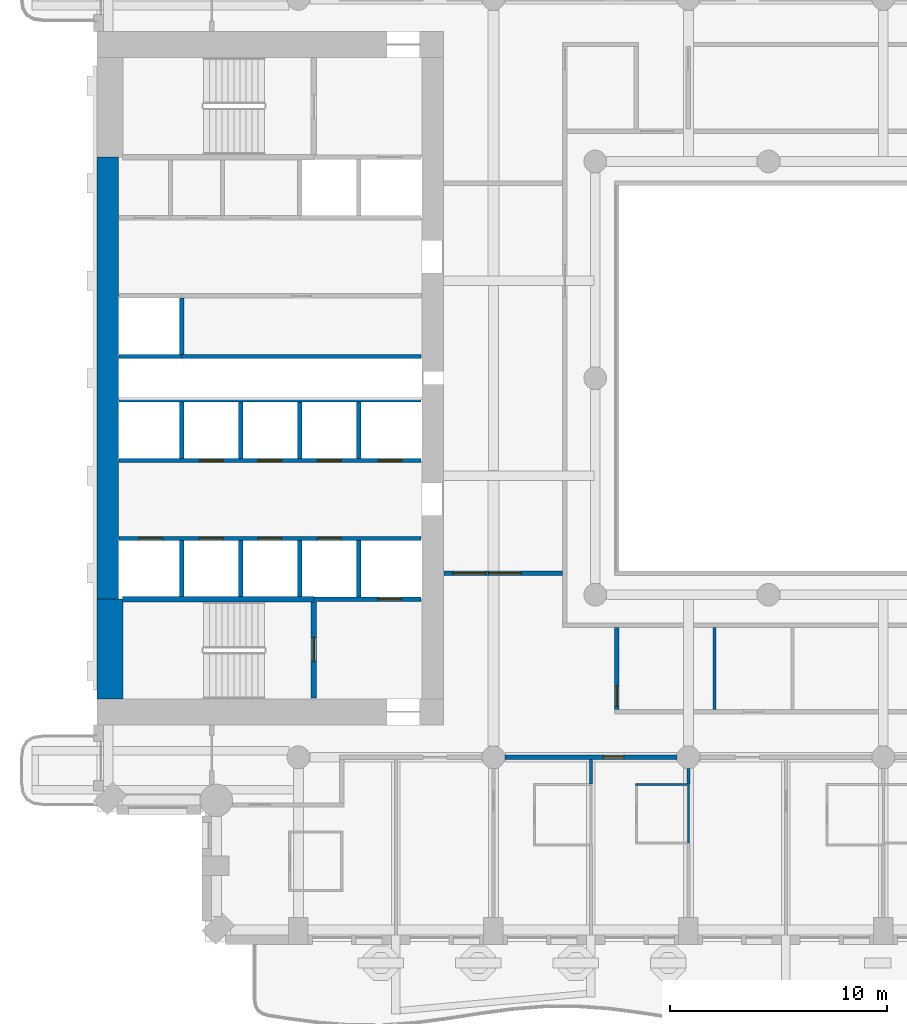
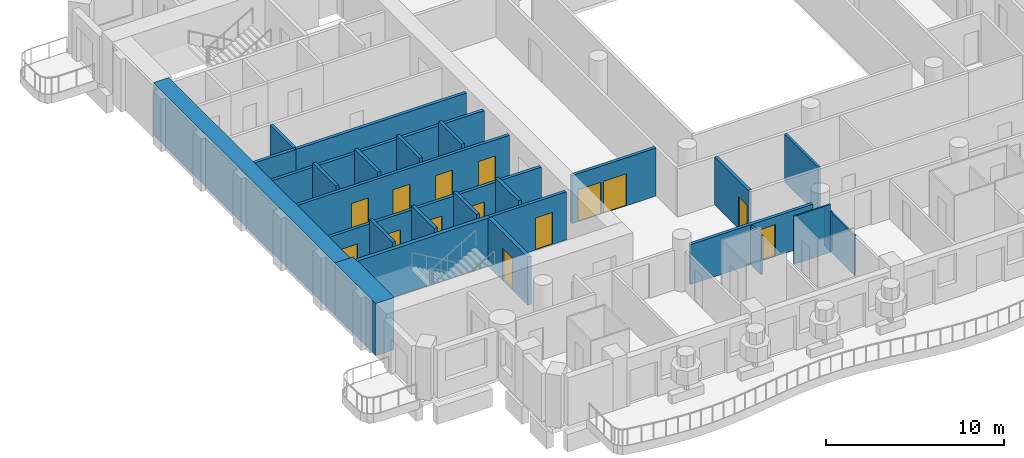
# One storey, part 4 of 20: 27 walls, 14 doors, 14 openings.
"""IFC4 building model written with IfcOpenShell, lengths in metres."""

import ifcopenshell
import ifcopenshell.guid

model = None  # the IFC model being written
_history = None  # IfcOwnerHistory: only IFC2X3 demands one
_inside = {}  # id of a spatial element -> (the spatial element, [elements in it])
_under = {}  # id of a project, library or spatial element -> (it, [spatial elements below it])
_declared = {}  # id of a project -> (the project, [libraries it declares])
_typed = {}  # id of a type object -> (the type object, [elements of that type])
_made_of = {}  # id of a material, layer set ... -> (it, [elements and type objects made of it])


def new_model(schema):
    """Start an empty IFC model of exactly this schema.

    Asked for "IFC4X3", IfcOpenShell would pick the latest addendum, in which some entities
    have other attributes; the version numbers below select the first issue.
    IFC2X3 requires an IfcOwnerHistory on every rooted entity: one is made here for all.
    """
    global model, _history
    if schema == "IFC4X3":
        model = ifcopenshell.file(schema_version=(4, 3, 0, 0))
    else:
        model = ifcopenshell.file(schema=schema)
    _inside.clear()
    _under.clear()
    _declared.clear()
    _typed.clear()
    _made_of.clear()
    _history = None
    if model.schema == "IFC2X3":
        org = make("IfcOrganization", Name="unknown")
        user = make(
            "IfcPersonAndOrganization",
            ThePerson=make("IfcPerson", FamilyName="unknown"),
            TheOrganization=org,
        )
        app = make(
            "IfcApplication",
            ApplicationDeveloper=org,
            Version="unknown",
            ApplicationFullName="unknown",
            ApplicationIdentifier="unknown",
        )
        _history = make(
            "IfcOwnerHistory",
            OwningUser=user,
            OwningApplication=app,
            ChangeAction="ADDED",
            CreationDate=0,
        )
    return model


def make(cls, **values):
    """One entity of the class cls with the attributes given. An attribute that is None is left unset."""
    return model.create_entity(
        cls, **{name: value for name, value in values.items() if value is not None}
    )


def rooted(cls, **values):
    """An entity with a GlobalId (a new one), such as an element, a storey or a relation."""
    return make(cls, GlobalId=ifcopenshell.guid.new(), OwnerHistory=_history, **values)


def si_unit(unit_type, name, prefix=None):
    """IfcSIUnit, for example si_unit("LENGTHUNIT", "METRE", prefix="MILLI")."""
    return make("IfcSIUnit", UnitType=unit_type, Prefix=prefix, Name=name)


def assignment(units):
    """IfcUnitAssignment: the units of a project."""
    return None if units is None else make("IfcUnitAssignment", Units=units)


def point(xyz):
    """IfcCartesianPoint."""
    return None if xyz is None else make("IfcCartesianPoint", Coordinates=xyz)


def direction(xyz):
    """IfcDirection."""
    return None if xyz is None else make("IfcDirection", DirectionRatios=xyz)


def frame(location, z_axis=None, x_axis=None):
    """IfcAxis2Placement3D, a coordinate frame: its origin and axes. An axis left out is left unset."""
    return make(
        "IfcAxis2Placement3D",
        Location=point(location),
        Axis=direction(z_axis),
        RefDirection=direction(x_axis),
    )


def frame_2d(location, x_axis=None):
    """IfcAxis2Placement2D, a coordinate frame in the plane: its origin and x axis."""
    return make(
        "IfcAxis2Placement2D", Location=point(location), RefDirection=direction(x_axis)
    )


def origin():
    """The frame at (0, 0, 0) with its axes left unset."""
    return frame((0.0, 0.0, 0.0))


def place(relative_to, where):
    """IfcLocalPlacement: puts the frame where relative to a parent placement (None: the world)."""
    return make(
        "IfcLocalPlacement", PlacementRelTo=relative_to, RelativePlacement=where
    )


def context(
    kind, dimensions, precision=None, world=None, true_north=None, identifier=None
):
    """IfcGeometricRepresentationContext, for example the 3D "Model" context."""
    return make(
        "IfcGeometricRepresentationContext",
        ContextIdentifier=identifier,
        ContextType=kind,
        CoordinateSpaceDimension=dimensions,
        Precision=precision,
        WorldCoordinateSystem=world,
        TrueNorth=true_north,
    )


def subcontext(parent, identifier, kind, view, scale=None):
    """IfcGeometricRepresentationSubContext, for example "Body" below "Model"."""
    return make(
        "IfcGeometricRepresentationSubContext",
        ContextIdentifier=identifier,
        ContextType=kind,
        ParentContext=parent,
        TargetScale=scale,
        TargetView=view,
    )


def project(units=None, contexts=None):
    """IfcProject with its units and contexts."""
    return rooted(
        "IfcProject",
        Name="project",
        RepresentationContexts=contexts,
        UnitsInContext=assignment(units),
    )


def spatial(cls, under=None, at=None, **own):
    """A site, building, storey or space (cls), placed at a placement, below another one or the project."""
    s = rooted(cls, ObjectPlacement=at, **own)
    if under is not None:
        _under.setdefault(under.id(), (under, []))[1].append(s)
    return s


def profile(cls, at=None, kind="AREA", **sizes):
    """A parametric profile (cls). Its sizes go by their IFC names, for example OverallWidth=200.0."""
    return make(cls, ProfileType=kind, Position=at, **sizes)


def rectangle(**sizes):
    """IfcRectangleProfileDef."""
    return profile("IfcRectangleProfileDef", **sizes)


def extrude(swept, where, along, depth):
    """IfcExtrudedAreaSolid: the profile swept, set in the frame where, extruded along a direction by depth."""
    return make(
        "IfcExtrudedAreaSolid",
        SweptArea=swept,
        Position=where,
        ExtrudedDirection=direction(along),
        Depth=depth,
    )


def shape(context_of_items, identifier, shape_type, items):
    """IfcShapeRepresentation: the items that make up one representation, for example the "Body"."""
    return make(
        "IfcShapeRepresentation",
        ContextOfItems=context_of_items,
        RepresentationIdentifier=identifier,
        RepresentationType=shape_type,
        Items=items,
    )


def material(Name=None, Category=None):
    """IfcMaterial."""
    return make("IfcMaterial", Name=Name, Category=Category)


def layer(
    of_material, thickness, ventilated=None, Name=None, Category=None, Priority=None
):
    """IfcMaterialLayer: one layer of a wall or slab, of a material (None: an air gap)."""
    return make(
        "IfcMaterialLayer",
        Material=of_material,
        LayerThickness=thickness,
        IsVentilated=ventilated,
        Name=Name,
        Category=Category,
        Priority=Priority,
    )


def layer_set(layers, Name=None):
    """IfcMaterialLayerSet."""
    return make("IfcMaterialLayerSet", MaterialLayers=layers, LayerSetName=Name)


def made_of(thing, what):
    """Note that an element or type object is made of a material, layer set ...; save() writes the relation."""
    if what is not None:
        _made_of.setdefault(what.id(), (what, []))[1].append(thing)
    return thing


def type_object(cls, material=None, **own):
    """A type object (cls), such as IfcWallType, which elements share."""
    return made_of(rooted(cls, **own), material)


def element(
    cls,
    number,
    at=None,
    inside=None,
    cuts=None,
    type_object=None,
    material=None,
    context=None,
    identifier="Body",
    shape_type=None,
    held_by="IfcProductDefinitionShape",
    body=None,
    shapes=None,
    **own,
):
    """One element of the class cls, such as IfcWall. Its Tag is "e" and its number.

    at: its placement. inside: the storey or other place that contains it. cuts: it is an
    opening in that element (IfcRelVoidsElement). A single representation is given by context,
    identifier, shape_type and body (its items); several are given by shapes. held_by: the class
    of the entity that holds the representations. save() writes the other relations.
    """
    e = rooted(cls, Tag="e%d" % number, ObjectPlacement=at, **own)
    if body is not None:
        shapes = [shape(context, identifier, shape_type, body)]
    if shapes is not None:
        e.Representation = make(held_by, Representations=shapes)
    if inside is not None:
        _inside.setdefault(inside.id(), (inside, []))[1].append(e)
    if cuts is not None:
        rooted(
            "IfcRelVoidsElement", RelatingBuildingElement=cuts, RelatedOpeningElement=e
        )
    if type_object is not None:
        _typed.setdefault(type_object.id(), (type_object, []))[1].append(e)
    return made_of(e, material)


def fill(opening, filler):
    """IfcRelFillsElement: the door or window that sits in an opening."""
    return rooted(
        "IfcRelFillsElement",
        RelatingOpeningElement=opening,
        RelatedBuildingElement=filler,
    )


def aggregate(whole, parts):
    """IfcRelAggregates: a whole, such as a stair, and the parts it consists of."""
    return rooted("IfcRelAggregates", RelatingObject=whole, RelatedObjects=parts)


def save(model, path):
    """Write the relations noted so far, then the file.

    IfcRelAggregates (storeys below a building ...), IfcRelContainedInSpatialStructure (elements
    in a storey), IfcRelDefinesByType, IfcRelAssociatesMaterial and IfcRelDeclares: one each for
    every whole, place, type object, material and project.
    """
    for whole, parts in _under.values():
        aggregate(whole, parts)
    for where, things in _inside.values():
        rooted(
            "IfcRelContainedInSpatialStructure",
            RelatedElements=things,
            RelatingStructure=where,
        )
    for kind, things in _typed.values():
        rooted("IfcRelDefinesByType", RelatedObjects=things, RelatingType=kind)
    for what, things in _made_of.values():
        rooted("IfcRelAssociatesMaterial", RelatedObjects=things, RelatingMaterial=what)
    for by, libraries in _declared.values():
        rooted("IfcRelDeclares", RelatingContext=by, RelatedDefinitions=libraries)
    model.write(path)


model = new_model("IFC4")

# Units and contexts
model_context = context("Model", 3, precision=1e-05, world=origin(), true_north=direction((0.0, 1.0)))
body_context = subcontext(model_context, "Body", "Model", "MODEL_VIEW")
ifc_project = project(units=[si_unit("LENGTHUNIT", "METRE"), si_unit("AREAUNIT", "SQUARE_METRE"), si_unit("VOLUMEUNIT", "CUBIC_METRE"), si_unit("PLANEANGLEUNIT", "RADIAN"), si_unit("MASSUNIT", "GRAM", prefix="KILO")], contexts=[model_context])

# Site, building, storey
site_placement = place(None, origin())
site = spatial("IfcSite", under=ifc_project, at=site_placement, CompositionType="ELEMENT")
building_placement = place(site_placement, origin())
building = spatial("IfcBuilding", under=site, at=building_placement, Name="Cypress Arch Tower", CompositionType="ELEMENT")
storey_placement = place(building_placement, frame((0.0, 0.0, 113.10009765625)))
storey = spatial("IfcBuildingStorey", under=building, at=storey_placement, Name="L23", CompositionType="ELEMENT", Elevation=113.10009765625)

# Walls
ifc_material_1 = material(Name="Concrete C80/95", Category="concrete")
ifc_layer_1 = layer(ifc_material_1, 1.0)
ifc_layer_set_1 = layer_set([ifc_layer_1], Name="Core wall CW1000 C80/95")
wall_type_1 = type_object("IfcWallType", Name="Core wall CW1000 C80/95", PredefinedType="SHEAR", material=ifc_layer_set_1)
wall_1_placement = place(storey_placement, frame((-29.5, -10.199951171875, 0.0), z_axis=(0.0, 0.0, 1.0), x_axis=(0.0, 1.0, 0.0)))
element("IfcWall", 1, at=wall_1_placement, inside=storey, type_object=wall_type_1, Name="Core wall", PredefinedType="SHEAR", context=body_context, shape_type="SweptSolid", body=[
    extrude(rectangle(XDim=20.39990234375, YDim=1.0, at=frame_2d((10.199951171875, 0.0))), origin(), (0.0, 0.0, 1.0), 3.599853515625),
])
ifc_material_2 = material(Name="Concrete C80/95", Category="concrete")
ifc_layer_2 = layer(ifc_material_2, 1.199951171875)
ifc_layer_set_2 = layer_set([ifc_layer_2], Name="Core wall CW1200 C80/95")
wall_type_2 = type_object("IfcWallType", Name="Core wall CW1200 C80/95", PredefinedType="SHEAR", material=ifc_layer_set_2)
wall_2_placement = place(storey_placement, frame((-29.39990234375, -14.800048828125, 0.0), z_axis=(0.0, 0.0, 1.0), x_axis=(0.0, 1.0, 0.0)))
element("IfcWall", 2, at=wall_2_placement, inside=storey, type_object=wall_type_2, Name="Core wall", PredefinedType="SHEAR", context=body_context, shape_type="SweptSolid", body=[
    extrude(rectangle(XDim=4.60009765625, YDim=1.199951171875, at=frame_2d((2.300048828125, 0.0))), origin(), (0.0, 0.0, 1.0), 3.599853515625),
])

# Wall, opening, door
ifc_material_3 = material(Name="Concrete blockwork, plastered, rated", Category="masonry")
ifc_layer_3 = layer(ifc_material_3, 0.199951171875)
ifc_layer_set_3 = layer_set([ifc_layer_3], Name="Corridor wall FW200")
wall_type_3 = type_object("IfcWallType", Name="Corridor wall FW200", PredefinedType="PARTITIONING", material=ifc_layer_set_3)
wall_3_placement = place(storey_placement, frame((-11.175048828125, -17.5, 0.0), z_axis=(0.0, 0.0, 1.0), x_axis=(1.0, 0.0, 0.0)))
wall_3 = element("IfcWall", 3, at=wall_3_placement, inside=storey, type_object=wall_type_3, Name="Corridor wall", PredefinedType="PARTITIONING", context=body_context, shape_type="SweptSolid", body=[
    extrude(rectangle(XDim=7.949951171875, YDim=0.199951171875, at=frame_2d((3.97509765625, 0.0))), origin(), (0.0, 0.0, 1.0), 2.75),
])
opening_1_placement = place(wall_3_placement, frame((4.550048828125, 0.0, 0.0)))
opening_1 = element("IfcOpeningElement", 4, at=opening_1_placement, cuts=wall_3, Name="Opening D02", PredefinedType="OPENING", context=body_context, shape_type="SweptSolid", body=[
    extrude(rectangle(XDim=0.949951171875, YDim=2.199951171875, at=frame_2d((0.47509765625, 1.10009765625))), frame((0.0, 0.10986328125, 0.0), z_axis=(0.0, -1.0, 0.0), x_axis=(1.0, 0.0, 0.0)), (0.0, 0.0, 1.0), 0.219970703125),
])
ifc_material_4 = material(Name="Timber flush door, fire resisting", Category="wood")
door_type_1 = type_object("IfcDoorType", Name="Room door D02 950x2200", OperationType="SINGLE_SWING_LEFT", PredefinedType="DOOR", material=ifc_material_4)
door_1_placement = place(opening_1_placement, origin())
door_1 = element("IfcDoor", 5, at=door_1_placement, inside=storey, type_object=door_type_1, Name="Room door", OperationType="SINGLE_SWING_RIGHT", OverallHeight=2.199951171875, OverallWidth=0.949951171875, PredefinedType="DOOR", context=body_context, shape_type="SweptSolid", body=[
    extrude(rectangle(XDim=0.949951171875, YDim=2.199951171875, at=frame_2d((0.47509765625, 1.10009765625))), frame((0.0, 0.02490234375, 0.0), z_axis=(0.0, -1.0, 0.0), x_axis=(1.0, 0.0, 0.0)), (0.0, 0.0, 1.0), 0.050048828125),
])
fill(opening_1, door_1)

# Wall, openings, doors
wall_4_placement = place(storey_placement, frame((-13.969970703125, -9.0, 0.0), z_axis=(0.0, 0.0, 1.0), x_axis=(1.0, 0.0, 0.0)))
wall_4 = element("IfcWall", 6, at=wall_4_placement, inside=storey, type_object=wall_type_3, Name="Corridor wall", PredefinedType="PARTITIONING", context=body_context, shape_type="SweptSolid", body=[
    extrude(rectangle(XDim=5.469970703125, YDim=0.199951171875, at=frame_2d((2.73486328125, 0.0))), origin(), (0.0, 0.0, 1.0), 3.2998046875),
])
opening_2_placement = place(wall_4_placement, frame((0.39990234375, 0.0, 0.0)))
opening_2 = element("IfcOpeningElement", 7, at=opening_2_placement, cuts=wall_4, Name="Opening D04", PredefinedType="OPENING", context=body_context, shape_type="SweptSolid", body=[
    extrude(rectangle(XDim=1.5, YDim=2.199951171875, at=frame_2d((0.75, 1.10009765625))), frame((0.0, 0.10986328125, 0.0), z_axis=(0.0, -1.0, 0.0), x_axis=(1.0, 0.0, 0.0)), (0.0, 0.0, 1.0), 0.219970703125),
])
opening_3_placement = place(wall_4_placement, frame((2.050048828125, 0.0, 0.0)))
opening_3 = element("IfcOpeningElement", 8, at=opening_3_placement, cuts=wall_4, Name="Opening D04", PredefinedType="OPENING", context=body_context, shape_type="SweptSolid", body=[
    extrude(rectangle(XDim=1.5, YDim=2.199951171875, at=frame_2d((0.75, 1.10009765625))), frame((0.0, 0.10986328125, 0.0), z_axis=(0.0, -1.0, 0.0), x_axis=(1.0, 0.0, 0.0)), (0.0, 0.0, 1.0), 0.219970703125),
])
ifc_material_5 = material(Name="Timber double door", Category="wood")
door_type_2 = type_object("IfcDoorType", Name="Double door D04 1500x2200", OperationType="DOUBLE_DOOR_SINGLE_SWING", PredefinedType="DOOR", material=ifc_material_5)
door_2_placement = place(opening_2_placement, origin())
door_2 = element("IfcDoor", 9, at=door_2_placement, inside=storey, type_object=door_type_2, Name="Double door", OperationType="DOUBLE_DOOR_SINGLE_SWING", OverallHeight=2.199951171875, OverallWidth=1.5, PredefinedType="DOOR", context=body_context, shape_type="SweptSolid", body=[
    extrude(rectangle(XDim=1.5, YDim=2.199951171875, at=frame_2d((0.75, 1.10009765625))), frame((0.0, 0.02490234375, 0.0), z_axis=(0.0, -1.0, 0.0), x_axis=(1.0, 0.0, 0.0)), (0.0, 0.0, 1.0), 0.050048828125),
])
fill(opening_2, door_2)
door_3_placement = place(opening_3_placement, origin())
door_3 = element("IfcDoor", 10, at=door_3_placement, inside=storey, type_object=door_type_2, Name="Double door", OperationType="DOUBLE_DOOR_SINGLE_SWING", OverallHeight=2.199951171875, OverallWidth=1.5, PredefinedType="DOOR", context=body_context, shape_type="SweptSolid", body=[
    extrude(rectangle(XDim=1.5, YDim=2.199951171875, at=frame_2d((0.75, 1.10009765625))), frame((0.0, 0.02490234375, 0.0), z_axis=(0.0, -1.0, 0.0), x_axis=(1.0, 0.0, 0.0)), (0.0, 0.0, 1.0), 0.050048828125),
])
fill(opening_3, door_3)

# Wall, opening, door
wall_5_placement = place(storey_placement, frame((-6.0, -15.300048828125, 0.0), z_axis=(0.0, 0.0, 1.0), x_axis=(0.0, 1.0, 0.0)))
wall_5 = element("IfcWall", 11, at=wall_5_placement, inside=storey, type_object=wall_type_3, Name="Corridor wall", PredefinedType="PARTITIONING", context=body_context, shape_type="SweptSolid", body=[
    extrude(rectangle(XDim=3.800048828125, YDim=0.199951171875, at=frame_2d((1.89990234375, 0.0))), origin(), (0.0, 0.0, 1.0), 3.2998046875),
])
opening_4_placement = place(wall_5_placement, frame((0.14990234375, 0.0, 0.0)))
opening_4 = element("IfcOpeningElement", 12, at=opening_4_placement, cuts=wall_5, Name="Opening D02", PredefinedType="OPENING", context=body_context, shape_type="SweptSolid", body=[
    extrude(rectangle(XDim=0.949951171875, YDim=2.199951171875, at=frame_2d((0.47509765625, 1.10009765625))), frame((0.0, 0.10986328125, 0.0), z_axis=(0.0, -1.0, 0.0), x_axis=(1.0, 0.0, 0.0)), (0.0, 0.0, 1.0), 0.219970703125),
])
door_4_placement = place(opening_4_placement, origin())
door_4 = element("IfcDoor", 13, at=door_4_placement, inside=storey, type_object=door_type_1, Name="Room door", OperationType="SINGLE_SWING_RIGHT", OverallHeight=2.199951171875, OverallWidth=0.949951171875, PredefinedType="DOOR", context=body_context, shape_type="SweptSolid", body=[
    extrude(rectangle(XDim=0.949951171875, YDim=2.199951171875, at=frame_2d((0.47509765625, 1.10009765625))), frame((0.0, 0.02490234375, 0.0), z_axis=(0.0, -1.0, 0.0), x_axis=(1.0, 0.0, 0.0)), (0.0, 0.0, 1.0), 0.050048828125),
])
fill(opening_4, door_4)

# Walls
ifc_material_6 = material(Name="Blockwork, plastered both sides", Category="masonry")
ifc_layer_4 = layer(ifc_material_6, 0.14990234375)
ifc_layer_set_4 = layer_set([ifc_layer_4], Name="Partition PW150")
wall_type_4 = type_object("IfcWallType", Name="Partition PW150", PredefinedType="PARTITIONING", material=ifc_layer_set_4)
wall_6_placement = place(storey_placement, frame((-7.199951171875, -18.72998046875, 0.0), z_axis=(0.0, 0.0, 1.0), x_axis=(0.0, 1.0, 0.0)))
element("IfcWall", 14, at=wall_6_placement, inside=storey, type_object=wall_type_4, Name="Partition", PredefinedType="PARTITIONING", context=body_context, shape_type="SweptSolid", body=[
    extrude(rectangle(XDim=1.1298828125, YDim=0.14990234375, at=frame_2d((0.56494140625, 0.0))), origin(), (0.0, 0.0, 1.0), 2.64990234375),
])
wall_7_placement = place(storey_placement, frame((-2.699951171875, -18.72998046875, 0.0), z_axis=(0.0, 0.0, 1.0), x_axis=(0.0, 1.0, 0.0)))
element("IfcWall", 15, at=wall_7_placement, inside=storey, type_object=wall_type_4, Name="Partition", PredefinedType="PARTITIONING", context=body_context, shape_type="SweptSolid", body=[
    extrude(rectangle(XDim=0.705078125, YDim=0.14990234375, at=frame_2d((0.3525390625, 0.0))), origin(), (0.0, 0.0, 1.0), 2.75),
])
wall_8_placement = place(storey_placement, frame((-1.5, -15.300048828125, 0.0), z_axis=(0.0, 0.0, 1.0), x_axis=(0.0, 1.0, 0.0)))
element("IfcWall", 16, at=wall_8_placement, inside=storey, type_object=wall_type_4, Name="Partition", PredefinedType="PARTITIONING", context=body_context, shape_type="SweptSolid", body=[
    extrude(rectangle(XDim=3.800048828125, YDim=0.14990234375, at=frame_2d((1.89990234375, 0.0))), origin(), (0.0, 0.0, 1.0), 3.2998046875),
])
ifc_material_7 = material(Name="Reinforced blockwork, plastered, rated", Category="masonry")
ifc_layer_5 = layer(ifc_material_7, 0.199951171875)
ifc_layer_set_5 = layer_set([ifc_layer_5], Name="Plant and riser wall PL200")
wall_type_5 = type_object("IfcWallType", Name="Plant and riser wall PL200", PredefinedType="PARTITIONING", material=ifc_layer_set_5)
wall_9_placement = place(storey_placement, frame((-26.10009765625, 1.0, 0.0), z_axis=(0.0, 0.0, 1.0), x_axis=(1.0, 0.0, 0.0)))
element("IfcWall", 17, at=wall_9_placement, inside=storey, type_object=wall_type_5, Name="Plant and riser wall", PredefinedType="PARTITIONING", context=body_context, shape_type="SweptSolid", body=[
    extrude(rectangle(XDim=11.070068359375, YDim=0.199951171875, at=frame_2d((5.53515625, 0.0))), origin(), (0.0, 0.0, 1.0), 3.2998046875),
])

# Wall, openings, doors
ifc_material_8 = material(Name="Concrete C50/60", Category="concrete")
ifc_layer_6 = layer(ifc_material_8, 0.199951171875)
ifc_layer_set_6 = layer_set([ifc_layer_6], Name="Shaft wall SH200")
wall_type_6 = type_object("IfcWallType", Name="Shaft wall SH200", PredefinedType="SHEAR", material=ifc_layer_set_6)
wall_10_placement = place(storey_placement, frame((-28.969970703125, -7.39990234375, 0.0), z_axis=(0.0, 0.0, 1.0), x_axis=(1.0, 0.0, 0.0)))
wall_10 = element("IfcWall", 18, at=wall_10_placement, inside=storey, type_object=wall_type_6, Name="Shaft wall", PredefinedType="SHEAR", context=body_context, shape_type="SweptSolid", body=[
    extrude(rectangle(XDim=13.93994140625, YDim=0.199951171875, at=frame_2d((6.969970703125, 0.0))), origin(), (0.0, 0.0, 1.0), 3.2998046875),
])
opening_5_placement = place(wall_10_placement, frame((0.89990234375, 0.0, 0.0)))
opening_5 = element("IfcOpeningElement", 19, at=opening_5_placement, cuts=wall_10, Name="Opening LD-LR1", PredefinedType="OPENING", context=body_context, shape_type="SweptSolid", body=[
    extrude(rectangle(XDim=1.10009765625, YDim=2.199951171875, at=frame_2d((0.550048828125, 1.10009765625))), frame((0.0, 0.10986328125, 0.0), z_axis=(0.0, -1.0, 0.0), x_axis=(1.0, 0.0, 0.0)), (0.0, 0.0, 1.0), 0.219970703125),
])
opening_6_placement = place(wall_10_placement, frame((3.699951171875, 0.0, 0.0)))
opening_6 = element("IfcOpeningElement", 20, at=opening_6_placement, cuts=wall_10, Name="Opening LD-LR2", PredefinedType="OPENING", context=body_context, shape_type="SweptSolid", body=[
    extrude(rectangle(XDim=1.10009765625, YDim=2.199951171875, at=frame_2d((0.550048828125, 1.10009765625))), frame((0.0, 0.10986328125, 0.0), z_axis=(0.0, -1.0, 0.0), x_axis=(1.0, 0.0, 0.0)), (0.0, 0.0, 1.0), 0.219970703125),
])
opening_7_placement = place(wall_10_placement, frame((6.39990234375, 0.0, 0.0)))
opening_7 = element("IfcOpeningElement", 21, at=opening_7_placement, cuts=wall_10, Name="Opening LD-LR3", PredefinedType="OPENING", context=body_context, shape_type="SweptSolid", body=[
    extrude(rectangle(XDim=1.10009765625, YDim=2.199951171875, at=frame_2d((0.550048828125, 1.10009765625))), frame((0.0, 0.10986328125, 0.0), z_axis=(0.0, -1.0, 0.0), x_axis=(1.0, 0.0, 0.0)), (0.0, 0.0, 1.0), 0.219970703125),
])
opening_8_placement = place(wall_10_placement, frame((9.14990234375, 0.0, 0.0)))
opening_8 = element("IfcOpeningElement", 22, at=opening_8_placement, cuts=wall_10, Name="Opening LD-LR4", PredefinedType="OPENING", context=body_context, shape_type="SweptSolid", body=[
    extrude(rectangle(XDim=1.10009765625, YDim=2.199951171875, at=frame_2d((0.550048828125, 1.10009765625))), frame((0.0, 0.10986328125, 0.0), z_axis=(0.0, -1.0, 0.0), x_axis=(1.0, 0.0, 0.0)), (0.0, 0.0, 1.0), 0.219970703125),
])
ifc_material_9 = material(Name="Stainless steel centre-opening landing door, rated", Category="steel")
door_type_3 = type_object("IfcDoorType", Name="Lift landing door LD 1100x2200", OperationType="DOUBLE_DOOR_SLIDING", PredefinedType="DOOR", material=ifc_material_9)
door_5_placement = place(opening_5_placement, origin())
door_5 = element("IfcDoor", 23, at=door_5_placement, inside=storey, type_object=door_type_3, Name="Lift landing doors LR1", OperationType="DOUBLE_DOOR_SLIDING", OverallHeight=2.199951171875, OverallWidth=1.10009765625, PredefinedType="DOOR", context=body_context, shape_type="SweptSolid", body=[
    extrude(rectangle(XDim=1.10009765625, YDim=2.199951171875, at=frame_2d((0.550048828125, 1.10009765625))), frame((0.0, 0.02490234375, 0.0), z_axis=(0.0, -1.0, 0.0), x_axis=(1.0, 0.0, 0.0)), (0.0, 0.0, 1.0), 0.050048828125),
])
fill(opening_5, door_5)
door_6_placement = place(opening_6_placement, origin())
door_6 = element("IfcDoor", 24, at=door_6_placement, inside=storey, type_object=door_type_3, Name="Lift landing doors LR2", OperationType="DOUBLE_DOOR_SLIDING", OverallHeight=2.199951171875, OverallWidth=1.10009765625, PredefinedType="DOOR", context=body_context, shape_type="SweptSolid", body=[
    extrude(rectangle(XDim=1.10009765625, YDim=2.199951171875, at=frame_2d((0.550048828125, 1.10009765625))), frame((0.0, 0.02490234375, 0.0), z_axis=(0.0, -1.0, 0.0), x_axis=(1.0, 0.0, 0.0)), (0.0, 0.0, 1.0), 0.050048828125),
])
fill(opening_6, door_6)
door_7_placement = place(opening_7_placement, origin())
door_7 = element("IfcDoor", 25, at=door_7_placement, inside=storey, type_object=door_type_3, Name="Lift landing doors LR3", OperationType="DOUBLE_DOOR_SLIDING", OverallHeight=2.199951171875, OverallWidth=1.10009765625, PredefinedType="DOOR", context=body_context, shape_type="SweptSolid", body=[
    extrude(rectangle(XDim=1.10009765625, YDim=2.199951171875, at=frame_2d((0.550048828125, 1.10009765625))), frame((0.0, 0.02490234375, 0.0), z_axis=(0.0, -1.0, 0.0), x_axis=(1.0, 0.0, 0.0)), (0.0, 0.0, 1.0), 0.050048828125),
])
fill(opening_7, door_7)
door_8_placement = place(opening_8_placement, origin())
door_8 = element("IfcDoor", 26, at=door_8_placement, inside=storey, type_object=door_type_3, Name="Lift landing doors LR4", OperationType="DOUBLE_DOOR_SLIDING", OverallHeight=2.199951171875, OverallWidth=1.10009765625, PredefinedType="DOOR", context=body_context, shape_type="SweptSolid", body=[
    extrude(rectangle(XDim=1.10009765625, YDim=2.199951171875, at=frame_2d((0.550048828125, 1.10009765625))), frame((0.0, 0.02490234375, 0.0), z_axis=(0.0, -1.0, 0.0), x_axis=(1.0, 0.0, 0.0)), (0.0, 0.0, 1.0), 0.050048828125),
])
fill(opening_8, door_8)

wall_11_placement = place(storey_placement, frame((-28.969970703125, -3.800048828125, 0.0), z_axis=(0.0, 0.0, 1.0), x_axis=(1.0, 0.0, 0.0)))
wall_11 = element("IfcWall", 27, at=wall_11_placement, inside=storey, type_object=wall_type_6, Name="Shaft wall", PredefinedType="SHEAR", context=body_context, shape_type="SweptSolid", body=[
    extrude(rectangle(XDim=13.93994140625, YDim=0.199951171875, at=frame_2d((6.969970703125, 0.0))), origin(), (0.0, 0.0, 1.0), 3.2998046875),
])
opening_9_placement = place(wall_11_placement, frame((3.699951171875, 0.0, 0.0)))
opening_9 = element("IfcOpeningElement", 28, at=opening_9_placement, cuts=wall_11, Name="Opening LD-LR5", PredefinedType="OPENING", context=body_context, shape_type="SweptSolid", body=[
    extrude(rectangle(XDim=1.10009765625, YDim=2.199951171875, at=frame_2d((0.550048828125, 1.10009765625))), frame((0.0, 0.10986328125, 0.0), z_axis=(0.0, -1.0, 0.0), x_axis=(1.0, 0.0, 0.0)), (0.0, 0.0, 1.0), 0.219970703125),
])
opening_10_placement = place(wall_11_placement, frame((6.39990234375, 0.0, 0.0)))
opening_10 = element("IfcOpeningElement", 29, at=opening_10_placement, cuts=wall_11, Name="Opening LD-LR6", PredefinedType="OPENING", context=body_context, shape_type="SweptSolid", body=[
    extrude(rectangle(XDim=1.10009765625, YDim=2.199951171875, at=frame_2d((0.550048828125, 1.10009765625))), frame((0.0, 0.10986328125, 0.0), z_axis=(0.0, -1.0, 0.0), x_axis=(1.0, 0.0, 0.0)), (0.0, 0.0, 1.0), 0.219970703125),
])
opening_11_placement = place(wall_11_placement, frame((9.14990234375, 0.0, 0.0)))
opening_11 = element("IfcOpeningElement", 30, at=opening_11_placement, cuts=wall_11, Name="Opening LD-LR7", PredefinedType="OPENING", context=body_context, shape_type="SweptSolid", body=[
    extrude(rectangle(XDim=1.10009765625, YDim=2.199951171875, at=frame_2d((0.550048828125, 1.10009765625))), frame((0.0, 0.10986328125, 0.0), z_axis=(0.0, -1.0, 0.0), x_axis=(1.0, 0.0, 0.0)), (0.0, 0.0, 1.0), 0.219970703125),
])
opening_12_placement = place(wall_11_placement, frame((11.949951171875, 0.0, 0.0)))
opening_12 = element("IfcOpeningElement", 31, at=opening_12_placement, cuts=wall_11, Name="Opening LD-LR8", PredefinedType="OPENING", context=body_context, shape_type="SweptSolid", body=[
    extrude(rectangle(XDim=1.10009765625, YDim=2.199951171875, at=frame_2d((0.550048828125, 1.10009765625))), frame((0.0, 0.10986328125, 0.0), z_axis=(0.0, -1.0, 0.0), x_axis=(1.0, 0.0, 0.0)), (0.0, 0.0, 1.0), 0.219970703125),
])
door_9_placement = place(opening_9_placement, origin())
door_9 = element("IfcDoor", 32, at=door_9_placement, inside=storey, type_object=door_type_3, Name="Lift landing doors LR5", OperationType="DOUBLE_DOOR_SLIDING", OverallHeight=2.199951171875, OverallWidth=1.10009765625, PredefinedType="DOOR", context=body_context, shape_type="SweptSolid", body=[
    extrude(rectangle(XDim=1.10009765625, YDim=2.199951171875, at=frame_2d((0.550048828125, 1.10009765625))), frame((0.0, 0.02490234375, 0.0), z_axis=(0.0, -1.0, 0.0), x_axis=(1.0, 0.0, 0.0)), (0.0, 0.0, 1.0), 0.050048828125),
])
fill(opening_9, door_9)
door_10_placement = place(opening_10_placement, origin())
door_10 = element("IfcDoor", 33, at=door_10_placement, inside=storey, type_object=door_type_3, Name="Lift landing doors LR6", OperationType="DOUBLE_DOOR_SLIDING", OverallHeight=2.199951171875, OverallWidth=1.10009765625, PredefinedType="DOOR", context=body_context, shape_type="SweptSolid", body=[
    extrude(rectangle(XDim=1.10009765625, YDim=2.199951171875, at=frame_2d((0.550048828125, 1.10009765625))), frame((0.0, 0.02490234375, 0.0), z_axis=(0.0, -1.0, 0.0), x_axis=(1.0, 0.0, 0.0)), (0.0, 0.0, 1.0), 0.050048828125),
])
fill(opening_10, door_10)
door_11_placement = place(opening_11_placement, origin())
door_11 = element("IfcDoor", 34, at=door_11_placement, inside=storey, type_object=door_type_3, Name="Lift landing doors LR7", OperationType="DOUBLE_DOOR_SLIDING", OverallHeight=2.199951171875, OverallWidth=1.10009765625, PredefinedType="DOOR", context=body_context, shape_type="SweptSolid", body=[
    extrude(rectangle(XDim=1.10009765625, YDim=2.199951171875, at=frame_2d((0.550048828125, 1.10009765625))), frame((0.0, 0.02490234375, 0.0), z_axis=(0.0, -1.0, 0.0), x_axis=(1.0, 0.0, 0.0)), (0.0, 0.0, 1.0), 0.050048828125),
])
fill(opening_11, door_11)
door_12_placement = place(opening_12_placement, origin())
door_12 = element("IfcDoor", 35, at=door_12_placement, inside=storey, type_object=door_type_3, Name="Lift landing doors LR8", OperationType="DOUBLE_DOOR_SLIDING", OverallHeight=2.199951171875, OverallWidth=1.10009765625, PredefinedType="DOOR", context=body_context, shape_type="SweptSolid", body=[
    extrude(rectangle(XDim=1.10009765625, YDim=2.199951171875, at=frame_2d((0.550048828125, 1.10009765625))), frame((0.0, 0.02490234375, 0.0), z_axis=(0.0, -1.0, 0.0), x_axis=(1.0, 0.0, 0.0)), (0.0, 0.0, 1.0), 0.050048828125),
])
fill(opening_12, door_12)

# Walls
wall_12_placement = place(storey_placement, frame((-28.969970703125, -1.0, 0.0), z_axis=(0.0, 0.0, 1.0), x_axis=(1.0, 0.0, 0.0)))
element("IfcWall", 36, at=wall_12_placement, inside=storey, type_object=wall_type_6, Name="Shaft wall", PredefinedType="SHEAR", context=body_context, shape_type="SweptSolid", body=[
    extrude(rectangle(XDim=13.93994140625, YDim=0.199951171875, at=frame_2d((6.969970703125, 0.0))), origin(), (0.0, 0.0, 1.0), 3.2998046875),
])
wall_13_placement = place(storey_placement, frame((-28.969970703125, 1.0, 0.0), z_axis=(0.0, 0.0, 1.0), x_axis=(1.0, 0.0, 0.0)))
element("IfcWall", 37, at=wall_13_placement, inside=storey, type_object=wall_type_6, Name="Shaft wall", PredefinedType="SHEAR", context=body_context, shape_type="SweptSolid", body=[
    extrude(rectangle(XDim=2.869873046875, YDim=0.199951171875, at=frame_2d((1.43505859375, 0.0))), origin(), (0.0, 0.0, 1.0), 3.2998046875),
])
wall_14_placement = place(storey_placement, frame((-26.080078125, -10.074951171875, 0.0), z_axis=(0.0, 0.0, 1.0), x_axis=(0.0, 1.0, 0.0)))
element("IfcWall", 38, at=wall_14_placement, inside=storey, type_object=wall_type_6, Name="Shaft wall", PredefinedType="SHEAR", context=body_context, shape_type="SweptSolid", body=[
    extrude(rectangle(XDim=2.574951171875, YDim=0.199951171875, at=frame_2d((1.28759765625, 0.0))), origin(), (0.0, 0.0, 1.0), 3.599853515625),
])
wall_15_placement = place(storey_placement, frame((-26.080078125, -3.699951171875, 0.0), z_axis=(0.0, 0.0, 1.0), x_axis=(0.0, 1.0, 0.0)))
element("IfcWall", 39, at=wall_15_placement, inside=storey, type_object=wall_type_6, Name="Shaft wall", PredefinedType="SHEAR", context=body_context, shape_type="SweptSolid", body=[
    extrude(rectangle(XDim=2.599853515625, YDim=0.199951171875, at=frame_2d((1.2998046875, 0.0))), origin(), (0.0, 0.0, 1.0), 3.599853515625),
])
wall_16_placement = place(storey_placement, frame((-26.080078125, 1.10009765625, 0.0), z_axis=(0.0, 0.0, 1.0), x_axis=(0.0, 1.0, 0.0)))
element("IfcWall", 40, at=wall_16_placement, inside=storey, type_object=wall_type_6, Name="Shaft wall", PredefinedType="SHEAR", context=body_context, shape_type="SweptSolid", body=[
    extrude(rectangle(XDim=2.599853515625, YDim=0.199951171875, at=frame_2d((1.2998046875, 0.0))), origin(), (0.0, 0.0, 1.0), 3.2998046875),
])
wall_17_placement = place(storey_placement, frame((-23.360107421875, -10.074951171875, 0.0), z_axis=(0.0, 0.0, 1.0), x_axis=(0.0, 1.0, 0.0)))
element("IfcWall", 41, at=wall_17_placement, inside=storey, type_object=wall_type_6, Name="Shaft wall", PredefinedType="SHEAR", context=body_context, shape_type="SweptSolid", body=[
    extrude(rectangle(XDim=2.574951171875, YDim=0.199951171875, at=frame_2d((1.28759765625, 0.0))), origin(), (0.0, 0.0, 1.0), 3.599853515625),
])
wall_18_placement = place(storey_placement, frame((-23.360107421875, -3.699951171875, 0.0), z_axis=(0.0, 0.0, 1.0), x_axis=(0.0, 1.0, 0.0)))
element("IfcWall", 42, at=wall_18_placement, inside=storey, type_object=wall_type_6, Name="Shaft wall", PredefinedType="SHEAR", context=body_context, shape_type="SweptSolid", body=[
    extrude(rectangle(XDim=2.599853515625, YDim=0.199951171875, at=frame_2d((1.2998046875, 0.0))), origin(), (0.0, 0.0, 1.0), 3.599853515625),
])
wall_19_placement = place(storey_placement, frame((-20.639892578125, -10.074951171875, 0.0), z_axis=(0.0, 0.0, 1.0), x_axis=(0.0, 1.0, 0.0)))
element("IfcWall", 43, at=wall_19_placement, inside=storey, type_object=wall_type_6, Name="Shaft wall", PredefinedType="SHEAR", context=body_context, shape_type="SweptSolid", body=[
    extrude(rectangle(XDim=2.574951171875, YDim=0.199951171875, at=frame_2d((1.28759765625, 0.0))), origin(), (0.0, 0.0, 1.0), 3.599853515625),
])
wall_20_placement = place(storey_placement, frame((-20.639892578125, -3.699951171875, 0.0), z_axis=(0.0, 0.0, 1.0), x_axis=(0.0, 1.0, 0.0)))
element("IfcWall", 44, at=wall_20_placement, inside=storey, type_object=wall_type_6, Name="Shaft wall", PredefinedType="SHEAR", context=body_context, shape_type="SweptSolid", body=[
    extrude(rectangle(XDim=2.599853515625, YDim=0.199951171875, at=frame_2d((1.2998046875, 0.0))), origin(), (0.0, 0.0, 1.0), 3.599853515625),
])

# Wall, opening, door
wall_21_placement = place(storey_placement, frame((-19.97998046875, -10.199951171875, 0.0), z_axis=(0.0, 0.0, 1.0), x_axis=(1.0, 0.0, 0.0)))
wall_21 = element("IfcWall", 45, at=wall_21_placement, inside=storey, type_object=wall_type_6, Name="Shaft wall", PredefinedType="SHEAR", context=body_context, shape_type="SweptSolid", body=[
    extrude(rectangle(XDim=4.949951171875, YDim=0.199951171875, at=frame_2d((2.47509765625, 0.0))), origin(), (0.0, 0.0, 1.0), 3.2998046875),
])
opening_13_placement = place(wall_21_placement, frame((2.949951171875, 0.0, 0.0)))
opening_13 = element("IfcOpeningElement", 46, at=opening_13_placement, cuts=wall_21, Name="Opening LD-FL1", PredefinedType="OPENING", context=body_context, shape_type="SweptSolid", body=[
    extrude(rectangle(XDim=1.10009765625, YDim=2.199951171875, at=frame_2d((0.550048828125, 1.10009765625))), frame((0.0, 0.10986328125, 0.0), z_axis=(0.0, -1.0, 0.0), x_axis=(1.0, 0.0, 0.0)), (0.0, 0.0, 1.0), 0.219970703125),
])
door_13_placement = place(opening_13_placement, origin())
door_13 = element("IfcDoor", 47, at=door_13_placement, inside=storey, type_object=door_type_3, Name="Lift landing doors FL1", OperationType="DOUBLE_DOOR_SLIDING", OverallHeight=2.199951171875, OverallWidth=1.10009765625, PredefinedType="DOOR", context=body_context, shape_type="SweptSolid", body=[
    extrude(rectangle(XDim=1.10009765625, YDim=2.199951171875, at=frame_2d((0.550048828125, 1.10009765625))), frame((0.0, 0.02490234375, 0.0), z_axis=(0.0, -1.0, 0.0), x_axis=(1.0, 0.0, 0.0)), (0.0, 0.0, 1.0), 0.050048828125),
])
fill(opening_13, door_13)

# Walls
wall_22_placement = place(storey_placement, frame((-17.919921875, -10.10009765625, 0.0), z_axis=(0.0, 0.0, 1.0), x_axis=(0.0, 1.0, 0.0)))
element("IfcWall", 48, at=wall_22_placement, inside=storey, type_object=wall_type_6, Name="Shaft wall", PredefinedType="SHEAR", context=body_context, shape_type="SweptSolid", body=[
    extrude(rectangle(XDim=2.60009765625, YDim=0.199951171875, at=frame_2d((1.300048828125, 0.0))), origin(), (0.0, 0.0, 1.0), 3.599853515625),
])
wall_23_placement = place(storey_placement, frame((-17.919921875, -3.699951171875, 0.0), z_axis=(0.0, 0.0, 1.0), x_axis=(0.0, 1.0, 0.0)))
element("IfcWall", 49, at=wall_23_placement, inside=storey, type_object=wall_type_6, Name="Shaft wall", PredefinedType="SHEAR", context=body_context, shape_type="SweptSolid", body=[
    extrude(rectangle(XDim=2.599853515625, YDim=0.199951171875, at=frame_2d((1.2998046875, 0.0))), origin(), (0.0, 0.0, 1.0), 3.599853515625),
])
ifc_material_10 = material(Name="Concrete C50/60", Category="concrete")
ifc_layer_7 = layer(ifc_material_10, 0.25)
ifc_layer_set_7 = layer_set([ifc_layer_7], Name="Stair enclosure wall SW250")
wall_type_7 = type_object("IfcWallType", Name="Stair enclosure wall SW250", PredefinedType="SHEAR", material=ifc_layer_set_7)
wall_24_placement = place(storey_placement, frame((-28.81005859375, -10.199951171875, 0.0), z_axis=(0.0, 0.0, 1.0), x_axis=(1.0, 0.0, 0.0)))
element("IfcWall", 50, at=wall_24_placement, inside=storey, type_object=wall_type_7, Name="Stair enclosure wall", PredefinedType="SHEAR", context=body_context, shape_type="SweptSolid", body=[
    extrude(rectangle(XDim=8.830078125, YDim=0.25, at=frame_2d((4.4150390625, 0.0))), origin(), (0.0, 0.0, 1.0), 3.2998046875),
])

# Wall, opening, door
wall_25_placement = place(storey_placement, frame((-20.0, -14.77001953125, 0.0), z_axis=(0.0, 0.0, 1.0), x_axis=(0.0, 1.0, 0.0)))
wall_25 = element("IfcWall", 51, at=wall_25_placement, inside=storey, type_object=wall_type_7, Name="Stair enclosure wall", PredefinedType="SHEAR", context=body_context, shape_type="SweptSolid", body=[
    extrude(rectangle(XDim=4.445068359375, YDim=0.25, at=frame_2d((2.22265625, 0.0))), origin(), (0.0, 0.0, 1.0), 3.2998046875),
])
opening_14_placement = place(wall_25_placement, frame((1.699951171875, 0.0, 0.0)))
opening_14 = element("IfcOpeningElement", 52, at=opening_14_placement, cuts=wall_25, Name="Opening D06", PredefinedType="OPENING", context=body_context, shape_type="SweptSolid", body=[
    extrude(rectangle(XDim=1.10009765625, YDim=2.199951171875, at=frame_2d((0.550048828125, 1.10009765625))), frame((0.0, 0.135009765625, 0.0), z_axis=(0.0, -1.0, 0.0), x_axis=(1.0, 0.0, 0.0)), (0.0, 0.0, 1.0), 0.27001953125),
])
ifc_material_11 = material(Name="Steel door, fire resisting, panic bar", Category="steel")
door_type_4 = type_object("IfcDoorType", Name="Stair door D06 1100x2200", OperationType="SINGLE_SWING_LEFT", PredefinedType="DOOR", material=ifc_material_11)
door_14_placement = place(opening_14_placement, origin())
door_14 = element("IfcDoor", 53, at=door_14_placement, inside=storey, type_object=door_type_4, Name="Stair door", OperationType="SINGLE_SWING_RIGHT", OverallHeight=2.199951171875, OverallWidth=1.10009765625, PredefinedType="DOOR", context=body_context, shape_type="SweptSolid", body=[
    extrude(rectangle(XDim=1.10009765625, YDim=2.199951171875, at=frame_2d((0.550048828125, 1.10009765625))), frame((0.0, 0.02490234375, 0.0), z_axis=(0.0, -1.0, 0.0), x_axis=(1.0, 0.0, 0.0)), (0.0, 0.0, 1.0), 0.050048828125),
])
fill(opening_14, door_14)

# Walls
ifc_material_12 = material(Name="Moisture resistant board on steel studs, tiled", Category="steel")
ifc_layer_8 = layer(ifc_material_12, 0.10009765625)
ifc_layer_set_8 = layer_set([ifc_layer_8], Name="Wet wall PW100")
wall_type_8 = type_object("IfcWallType", Name="Wet wall PW100", PredefinedType="PARTITIONING", material=ifc_layer_set_8)
wall_26_placement = place(storey_placement, frame((-5.14599609375, -18.75, 0.0), z_axis=(0.0, 0.0, 1.0), x_axis=(1.0, 0.0, 0.0)))
element("IfcWall", 54, at=wall_26_placement, inside=storey, type_object=wall_type_8, Name="Wet wall", PredefinedType="PARTITIONING", context=body_context, shape_type="SweptSolid", body=[
    extrude(rectangle(XDim=2.37109375, YDim=0.10009765625, at=frame_2d((1.185546875, 0.0))), origin(), (0.0, 0.0, 1.0), 3.2998046875),
])
wall_27_placement = place(storey_placement, frame((-2.699951171875, -21.449951171875, 0.0), z_axis=(0.0, 0.0, 1.0), x_axis=(0.0, 1.0, 0.0)))
element("IfcWall", 55, at=wall_27_placement, inside=storey, type_object=wall_type_8, Name="Wet wall", PredefinedType="PARTITIONING", context=body_context, shape_type="SweptSolid", body=[
    extrude(rectangle(XDim=2.719970703125, YDim=0.10009765625, at=frame_2d((1.35986328125, 0.0))), origin(), (0.0, 0.0, 1.0), 2.75),
])

save(model, "model.ifc")
